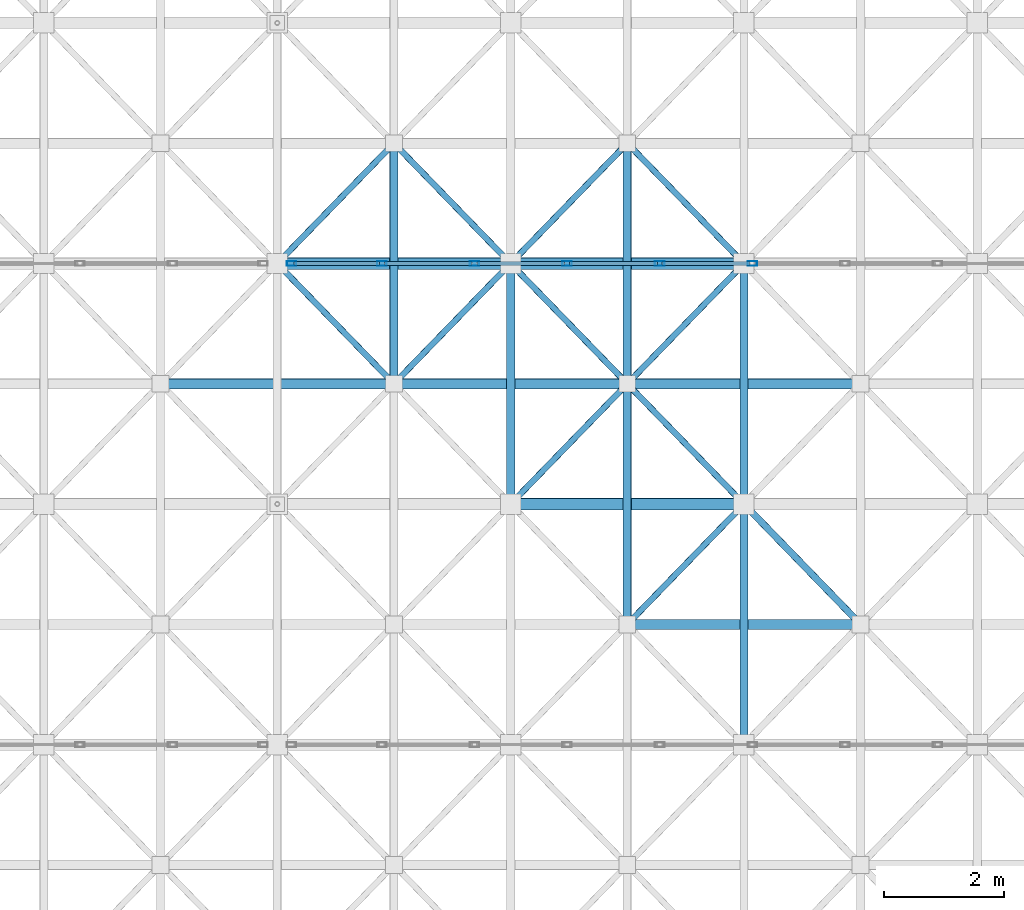
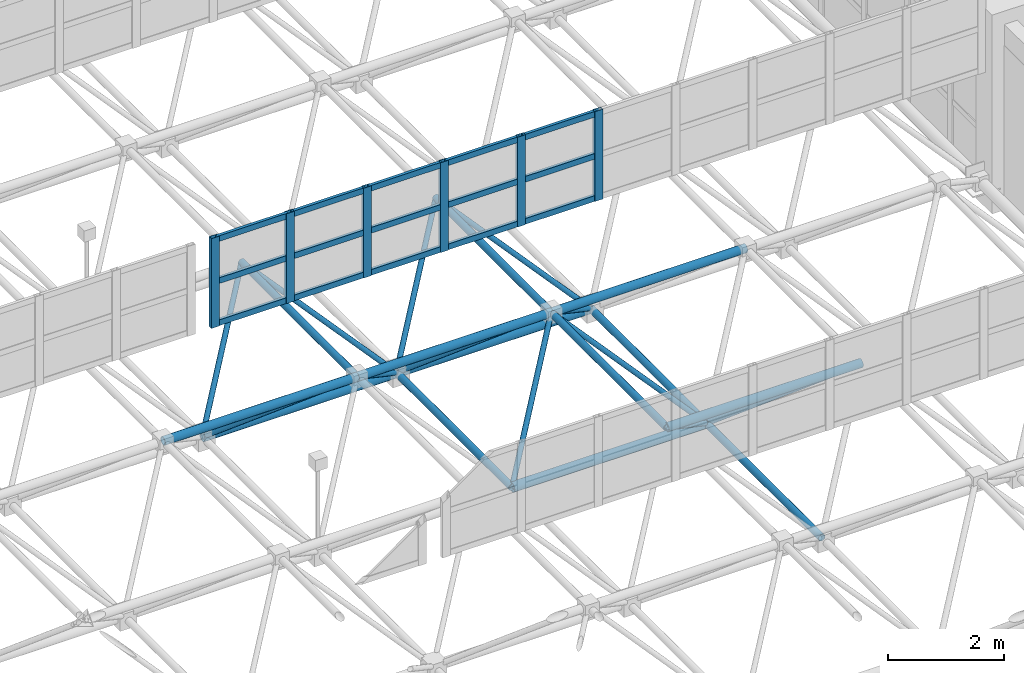
# One storey, part 61 of 195: 46 members, 1 element without a shape of its own.
"""IFC4 building model written with IfcOpenShell, lengths in metres."""

from ifc_helpers import new_model, si_unit, direction, frame, origin, origin_2d, place, context, subcontext, project, spatial, hollow_rectangle, hollow_circle, extrude, material, material_profile, profile_set, type_object, element, aggregate, save


model = new_model("IFC4")

# Units and contexts
model_context = context("Model", 3, precision=1e-05, world=origin(), true_north=direction((0.0, 1.0)))
body_context = subcontext(model_context, "Body", "Model", "MODEL_VIEW")
ifc_project = project(units=[si_unit("LENGTHUNIT", "METRE"), si_unit("AREAUNIT", "SQUARE_METRE"), si_unit("VOLUMEUNIT", "CUBIC_METRE"), si_unit("PLANEANGLEUNIT", "RADIAN"), si_unit("MASSUNIT", "GRAM", prefix="KILO")], contexts=[model_context])

# Site, building, storey
site_placement = place(None, origin())
site = spatial("IfcSite", under=ifc_project, at=site_placement, CompositionType="ELEMENT")
building_placement = place(site_placement, origin())
building = spatial("IfcBuilding", under=site, at=building_placement, Name="Kharva Crest Polytechnic", CompositionType="ELEMENT")
storey_placement = place(building_placement, frame((0.0, 0.0, 9.0)))
storey = spatial("IfcBuildingStorey", under=building, at=storey_placement, Name="L02", CompositionType="ELEMENT", Elevation=9.0)

# Curtain wall, members
ifc_material_1 = material(Name="Tempered insulated glass", Category="glass")
curtain_wall_type = type_object("IfcCurtainWallType", Name="CW-SYS-NORTHLIGHT", PredefinedType="USERDEFINED", material=ifc_material_1)
curtain_wall_placement = place(storey_placement, origin())
curtain_wall = element("IfcCurtainWall", 1, at=curtain_wall_placement, inside=storey, type_object=curtain_wall_type, Name="L02 Glazed Curtain Wall CW-194", ObjectType="CURTAIN WALL", PredefinedType="USERDEFINED")
ifc_material_2 = material(Name="Steel S355", Category="steel")
ifc_material_profile_1 = material_profile(ifc_material_2, hollow_rectangle(XDim=0.080078125, YDim=0.159912109375, WallThickness=0.0048828125, at=origin_2d()), Name="RHS 160X80X5.0")
ifc_profile_set_1 = profile_set([ifc_material_profile_1], Name="Steel S355")
member_type_1 = type_object("IfcMemberType", Name="CWM-RHS160X80", PredefinedType="MULLION", material=ifc_profile_set_1)
member_1_placement = place(storey_placement, frame((16.239990234375, 62.800048828125, 2.85009765625), z_axis=(0.0, 0.0, 1.0), x_axis=(0.0, 1.0, 0.0)))
member_1 = element("IfcMember", 2, at=member_1_placement, type_object=member_type_1, Name="CW-194 mullion 1", PredefinedType="MULLION", context=body_context, shape_type="SweptSolid", body=[
    extrude(hollow_rectangle(XDim=0.080078125, YDim=0.159912109375, WallThickness=0.0048828125, at=origin_2d()), origin(), (0.0, 0.0, 1.0), 1.89990234375),
])
member_2_placement = place(storey_placement, frame((17.739990234375, 62.800048828125, 2.85009765625), z_axis=(0.0, 0.0, 1.0), x_axis=(0.0, 1.0, 0.0)))
member_2 = element("IfcMember", 3, at=member_2_placement, type_object=member_type_1, Name="CW-194 mullion 2", PredefinedType="MULLION", context=body_context, shape_type="SweptSolid", body=[
    extrude(hollow_rectangle(XDim=0.080078125, YDim=0.159912109375, WallThickness=0.0048828125, at=origin_2d()), origin(), (0.0, 0.0, 1.0), 1.89990234375),
])
member_3_placement = place(storey_placement, frame((19.280029296875, 62.800048828125, 2.85009765625), z_axis=(0.0, 0.0, 1.0), x_axis=(0.0, 1.0, 0.0)))
member_3 = element("IfcMember", 4, at=member_3_placement, type_object=member_type_1, Name="CW-194 mullion 3", PredefinedType="MULLION", context=body_context, shape_type="SweptSolid", body=[
    extrude(hollow_rectangle(XDim=0.080078125, YDim=0.159912109375, WallThickness=0.0048828125, at=origin_2d()), origin(), (0.0, 0.0, 1.0), 1.89990234375),
])
member_4_placement = place(storey_placement, frame((20.820068359375, 62.800048828125, 2.85009765625), z_axis=(0.0, 0.0, 1.0), x_axis=(0.0, 1.0, 0.0)))
member_4 = element("IfcMember", 5, at=member_4_placement, type_object=member_type_1, Name="CW-194 mullion 4", PredefinedType="MULLION", context=body_context, shape_type="SweptSolid", body=[
    extrude(hollow_rectangle(XDim=0.080078125, YDim=0.159912109375, WallThickness=0.0048828125, at=origin_2d()), origin(), (0.0, 0.0, 1.0), 1.89990234375),
])
member_5_placement = place(storey_placement, frame((22.360107421875, 62.800048828125, 2.85009765625), z_axis=(0.0, 0.0, 1.0), x_axis=(0.0, 1.0, 0.0)))
member_5 = element("IfcMember", 6, at=member_5_placement, type_object=member_type_1, Name="CW-194 mullion 5", PredefinedType="MULLION", context=body_context, shape_type="SweptSolid", body=[
    extrude(hollow_rectangle(XDim=0.080078125, YDim=0.159912109375, WallThickness=0.0048828125, at=origin_2d()), origin(), (0.0, 0.0, 1.0), 1.89990234375),
])
member_6_placement = place(storey_placement, frame((23.89990234375, 62.800048828125, 2.85009765625), z_axis=(0.0, 0.0, 1.0), x_axis=(0.0, 1.0, 0.0)))
member_6 = element("IfcMember", 7, at=member_6_placement, type_object=member_type_1, Name="CW-194 mullion 6", PredefinedType="MULLION", context=body_context, shape_type="SweptSolid", body=[
    extrude(hollow_rectangle(XDim=0.080078125, YDim=0.159912109375, WallThickness=0.0048828125, at=origin_2d()), origin(), (0.0, 0.0, 1.0), 1.89990234375),
])
ifc_material_profile_2 = material_profile(ifc_material_2, hollow_rectangle(XDim=0.06005859375, YDim=0.1201171875, WallThickness=0.00390625, at=origin_2d()), Name="RHS 120X60X4.0")
ifc_profile_set_2 = profile_set([ifc_material_profile_2], Name="Steel S355")
member_type_2 = type_object("IfcMemberType", Name="CWT-RHS120X60", PredefinedType="USERDEFINED", material=ifc_profile_set_2)
member_7_placement = place(storey_placement, frame((16.280029296875, 62.800048828125, 2.909912109375), z_axis=(1.0, 0.0, 0.0), x_axis=(0.0, 1.0, 0.0)))
member_7 = element("IfcMember", 8, at=member_7_placement, type_object=member_type_2, Name="CW-194 transom 1.1", ObjectType="TRANSOM", PredefinedType="USERDEFINED", context=body_context, shape_type="SweptSolid", body=[
    extrude(hollow_rectangle(XDim=0.06005859375, YDim=0.1201171875, WallThickness=0.00390625, at=origin_2d()), origin(), (0.0, 0.0, 1.0), 1.419921875),
])
member_8_placement = place(storey_placement, frame((16.280029296875, 62.800048828125, 3.800048828125), z_axis=(1.0, 0.0, 0.0), x_axis=(0.0, 1.0, 0.0)))
member_8 = element("IfcMember", 9, at=member_8_placement, type_object=member_type_2, Name="CW-194 transom 1.2", ObjectType="TRANSOM", PredefinedType="USERDEFINED", context=body_context, shape_type="SweptSolid", body=[
    extrude(hollow_rectangle(XDim=0.06005859375, YDim=0.1201171875, WallThickness=0.00390625, at=origin_2d()), origin(), (0.0, 0.0, 1.0), 1.419921875),
])
member_9_placement = place(storey_placement, frame((16.280029296875, 62.800048828125, 4.68994140625), z_axis=(1.0, 0.0, 0.0), x_axis=(0.0, 1.0, 0.0)))
member_9 = element("IfcMember", 10, at=member_9_placement, type_object=member_type_2, Name="CW-194 transom 1.3", ObjectType="TRANSOM", PredefinedType="USERDEFINED", context=body_context, shape_type="SweptSolid", body=[
    extrude(hollow_rectangle(XDim=0.06005859375, YDim=0.1201171875, WallThickness=0.00390625, at=origin_2d()), origin(), (0.0, 0.0, 1.0), 1.419921875),
])
member_10_placement = place(storey_placement, frame((17.780029296875, 62.800048828125, 2.909912109375), z_axis=(1.0, 0.0, 0.0), x_axis=(0.0, 1.0, 0.0)))
member_10 = element("IfcMember", 11, at=member_10_placement, type_object=member_type_2, Name="CW-194 transom 2.1", ObjectType="TRANSOM", PredefinedType="USERDEFINED", context=body_context, shape_type="SweptSolid", body=[
    extrude(hollow_rectangle(XDim=0.06005859375, YDim=0.1201171875, WallThickness=0.00390625, at=origin_2d()), origin(), (0.0, 0.0, 1.0), 1.4599609375),
])
member_11_placement = place(storey_placement, frame((17.780029296875, 62.800048828125, 3.800048828125), z_axis=(1.0, 0.0, 0.0), x_axis=(0.0, 1.0, 0.0)))
member_11 = element("IfcMember", 12, at=member_11_placement, type_object=member_type_2, Name="CW-194 transom 2.2", ObjectType="TRANSOM", PredefinedType="USERDEFINED", context=body_context, shape_type="SweptSolid", body=[
    extrude(hollow_rectangle(XDim=0.06005859375, YDim=0.1201171875, WallThickness=0.00390625, at=origin_2d()), origin(), (0.0, 0.0, 1.0), 1.4599609375),
])
member_12_placement = place(storey_placement, frame((17.780029296875, 62.800048828125, 4.68994140625), z_axis=(1.0, 0.0, 0.0), x_axis=(0.0, 1.0, 0.0)))
member_12 = element("IfcMember", 13, at=member_12_placement, type_object=member_type_2, Name="CW-194 transom 2.3", ObjectType="TRANSOM", PredefinedType="USERDEFINED", context=body_context, shape_type="SweptSolid", body=[
    extrude(hollow_rectangle(XDim=0.06005859375, YDim=0.1201171875, WallThickness=0.00390625, at=origin_2d()), origin(), (0.0, 0.0, 1.0), 1.4599609375),
])
member_13_placement = place(storey_placement, frame((19.320068359375, 62.800048828125, 2.909912109375), z_axis=(1.0, 0.0, 0.0), x_axis=(0.0, 1.0, 0.0)))
member_13 = element("IfcMember", 14, at=member_13_placement, type_object=member_type_2, Name="CW-194 transom 3.1", ObjectType="TRANSOM", PredefinedType="USERDEFINED", context=body_context, shape_type="SweptSolid", body=[
    extrude(hollow_rectangle(XDim=0.06005859375, YDim=0.1201171875, WallThickness=0.00390625, at=origin_2d()), origin(), (0.0, 0.0, 1.0), 1.4599609375),
])
member_14_placement = place(storey_placement, frame((19.320068359375, 62.800048828125, 3.800048828125), z_axis=(1.0, 0.0, 0.0), x_axis=(0.0, 1.0, 0.0)))
member_14 = element("IfcMember", 15, at=member_14_placement, type_object=member_type_2, Name="CW-194 transom 3.2", ObjectType="TRANSOM", PredefinedType="USERDEFINED", context=body_context, shape_type="SweptSolid", body=[
    extrude(hollow_rectangle(XDim=0.06005859375, YDim=0.1201171875, WallThickness=0.00390625, at=origin_2d()), origin(), (0.0, 0.0, 1.0), 1.4599609375),
])
member_15_placement = place(storey_placement, frame((19.320068359375, 62.800048828125, 4.68994140625), z_axis=(1.0, 0.0, 0.0), x_axis=(0.0, 1.0, 0.0)))
member_15 = element("IfcMember", 16, at=member_15_placement, type_object=member_type_2, Name="CW-194 transom 3.3", ObjectType="TRANSOM", PredefinedType="USERDEFINED", context=body_context, shape_type="SweptSolid", body=[
    extrude(hollow_rectangle(XDim=0.06005859375, YDim=0.1201171875, WallThickness=0.00390625, at=origin_2d()), origin(), (0.0, 0.0, 1.0), 1.4599609375),
])
member_16_placement = place(storey_placement, frame((20.860107421875, 62.800048828125, 2.909912109375), z_axis=(1.0, 0.0, 0.0), x_axis=(0.0, 1.0, 0.0)))
member_16 = element("IfcMember", 17, at=member_16_placement, type_object=member_type_2, Name="CW-194 transom 4.1", ObjectType="TRANSOM", PredefinedType="USERDEFINED", context=body_context, shape_type="SweptSolid", body=[
    extrude(hollow_rectangle(XDim=0.06005859375, YDim=0.1201171875, WallThickness=0.00390625, at=origin_2d()), origin(), (0.0, 0.0, 1.0), 1.4599609375),
])
member_17_placement = place(storey_placement, frame((20.860107421875, 62.800048828125, 3.800048828125), z_axis=(1.0, 0.0, 0.0), x_axis=(0.0, 1.0, 0.0)))
member_17 = element("IfcMember", 18, at=member_17_placement, type_object=member_type_2, Name="CW-194 transom 4.2", ObjectType="TRANSOM", PredefinedType="USERDEFINED", context=body_context, shape_type="SweptSolid", body=[
    extrude(hollow_rectangle(XDim=0.06005859375, YDim=0.1201171875, WallThickness=0.00390625, at=origin_2d()), origin(), (0.0, 0.0, 1.0), 1.4599609375),
])
member_18_placement = place(storey_placement, frame((20.860107421875, 62.800048828125, 4.68994140625), z_axis=(1.0, 0.0, 0.0), x_axis=(0.0, 1.0, 0.0)))
member_18 = element("IfcMember", 19, at=member_18_placement, type_object=member_type_2, Name="CW-194 transom 4.3", ObjectType="TRANSOM", PredefinedType="USERDEFINED", context=body_context, shape_type="SweptSolid", body=[
    extrude(hollow_rectangle(XDim=0.06005859375, YDim=0.1201171875, WallThickness=0.00390625, at=origin_2d()), origin(), (0.0, 0.0, 1.0), 1.4599609375),
])
member_19_placement = place(storey_placement, frame((22.39990234375, 62.800048828125, 2.909912109375), z_axis=(1.0, 0.0, 0.0), x_axis=(0.0, 1.0, 0.0)))
member_19 = element("IfcMember", 20, at=member_19_placement, type_object=member_type_2, Name="CW-194 transom 5.1", ObjectType="TRANSOM", PredefinedType="USERDEFINED", context=body_context, shape_type="SweptSolid", body=[
    extrude(hollow_rectangle(XDim=0.06005859375, YDim=0.1201171875, WallThickness=0.00390625, at=origin_2d()), origin(), (0.0, 0.0, 1.0), 1.460205078125),
])
member_20_placement = place(storey_placement, frame((22.39990234375, 62.800048828125, 3.800048828125), z_axis=(1.0, 0.0, 0.0), x_axis=(0.0, 1.0, 0.0)))
member_20 = element("IfcMember", 21, at=member_20_placement, type_object=member_type_2, Name="CW-194 transom 5.2", ObjectType="TRANSOM", PredefinedType="USERDEFINED", context=body_context, shape_type="SweptSolid", body=[
    extrude(hollow_rectangle(XDim=0.06005859375, YDim=0.1201171875, WallThickness=0.00390625, at=origin_2d()), origin(), (0.0, 0.0, 1.0), 1.460205078125),
])
member_21_placement = place(storey_placement, frame((22.39990234375, 62.800048828125, 4.68994140625), z_axis=(1.0, 0.0, 0.0), x_axis=(0.0, 1.0, 0.0)))
member_21 = element("IfcMember", 22, at=member_21_placement, type_object=member_type_2, Name="CW-194 transom 5.3", ObjectType="TRANSOM", PredefinedType="USERDEFINED", context=body_context, shape_type="SweptSolid", body=[
    extrude(hollow_rectangle(XDim=0.06005859375, YDim=0.1201171875, WallThickness=0.00390625, at=origin_2d()), origin(), (0.0, 0.0, 1.0), 1.460205078125),
])
aggregate(curtain_wall, [member_1, member_2, member_3, member_4, member_5, member_6, member_7, member_8, member_9, member_10, member_11, member_12, member_13, member_14, member_15, member_16, member_17, member_18, member_19, member_20, member_21])

# Members
ifc_material_profile_3 = material_profile(ifc_material_2, hollow_circle(Radius=0.05078125, WallThickness=0.0048828125, at=origin_2d()), Name="CHS 101.6X5.0")
ifc_profile_set_3 = profile_set([ifc_material_profile_3], Name="Steel S355")
member_type_3 = type_object("IfcMemberType", Name="MEM-CHS101", PredefinedType="BRACE", material=ifc_profile_set_3)
for number, where, z_axis, x_axis, name in (
    (23, (16.0, 62.800048828125, 0.60009765625), (0.584843378742, -0.602949529154, 0.542595694449), (0.717802189577, 0.696247094528, 0.0), "Space Frame Web Diagonal 695"),
    (24, (19.8798828125, 62.800048828125, 0.60009765625), (-0.584843378742, -0.602949529154, 0.542595694449), (0.717802189577, -0.696247094528, 0.0), "Space Frame Web Diagonal 696"),
    (25, (16.0, 62.800048828125, 0.60009765625), (0.584843378742, 0.602949529154, 0.542595694449), (-0.717802189577, 0.696247094528, 0.0), "Space Frame Web Diagonal 697"),
    (26, (19.8798828125, 62.800048828125, 0.60009765625), (-0.584843378742, 0.602949529154, 0.542595694449), (-0.717802189577, -0.696247094528, 0.0), "Space Frame Web Diagonal 698"),
    (27, (23.760009765625, 58.800048828125, 0.60009765625), (-0.584843378742, -0.602949529154, 0.542595694449), (0.717802189577, -0.696247094528, 0.0), "Space Frame Web Diagonal 748"),
    (28, (19.8798828125, 58.800048828125, 0.60009765625), (0.584891802813, 0.602923574763, 0.542572338032), (-0.717758400015, 0.696292236929, 0.0), "Space Frame Web Diagonal 749"),
    (29, (23.760009765625, 58.800048828125, 0.60009765625), (-0.584843378742, 0.602949529154, 0.542595694449), (-0.717802189577, -0.696247094528, 0.0), "Space Frame Web Diagonal 750"),
    (30, (19.8798828125, 62.800048828125, 0.60009765625), (0.584891802813, -0.602923574763, 0.542572338032), (0.717758400015, 0.696292236929, 0.0), "Space Frame Web Diagonal 751"),
    (31, (23.760009765625, 62.800048828125, 0.60009765625), (-0.584843378742, -0.602949529154, 0.542595694449), (0.717802189577, -0.696247094528, 0.0), "Space Frame Web Diagonal 752"),
    (32, (19.8798828125, 62.800048828125, 0.60009765625), (0.584891802813, 0.602923574763, 0.542572338032), (-0.717758400015, 0.696292236929, 0.0), "Space Frame Web Diagonal 753"),
    (33, (23.760009765625, 62.800048828125, 0.60009765625), (-0.584843378742, 0.602949529154, 0.542595694449), (-0.717802189577, -0.696247094528, 0.0), "Space Frame Web Diagonal 754"),
):
    element("IfcMember", number, at=place(storey_placement, frame(where, z_axis=z_axis, x_axis=x_axis)), inside=storey, type_object=member_type_3, Name=name, PredefinedType="BRACE", context=body_context, shape_type="SweptSolid", body=[
        extrude(hollow_circle(Radius=0.05078125, WallThickness=0.0048828125, at=origin_2d()), origin(), (0.0, 0.0, 1.0), 3.317138671875),
    ])
ifc_material_profile_4 = material_profile(ifc_material_2, hollow_circle(Radius=0.05712890625, WallThickness=0.00634765625, at=origin_2d()), Name="CHS 114.3X6.3")
ifc_profile_set_4 = profile_set([ifc_material_profile_4], Name="Steel S355")
member_type_4 = type_object("IfcMemberType", Name="MEM-CHS114", PredefinedType="BRACE", material=ifc_profile_set_4)
member_22_placement = place(storey_placement, frame((23.760009765625, 58.800048828125, 0.60009765625), z_axis=(0.584843378742, -0.602949529154, 0.542595694449), x_axis=(0.717802189577, 0.696247094528, 0.0)))
element("IfcMember", 34, at=member_22_placement, inside=storey, type_object=member_type_4, Name="Space Frame Web Diagonal 803", PredefinedType="BRACE", context=body_context, shape_type="SweptSolid", body=[
    extrude(hollow_circle(Radius=0.05712890625, WallThickness=0.00634765625, at=origin_2d()), origin(), (0.0, 0.0, 1.0), 3.317138671875),
])
ifc_material_profile_5 = material_profile(ifc_material_2, hollow_circle(Radius=0.06982421875, WallThickness=0.00634765625, at=origin_2d()), Name="CHS 139.7X6.3")
ifc_profile_set_5 = profile_set([ifc_material_profile_5], Name="Steel S355")
member_type_5 = type_object("IfcMemberType", Name="MEM-CHS139", PredefinedType="CHORD", material=ifc_profile_set_5)
for number, where, z_axis, x_axis, name in (
    (35, (19.8798828125, 58.800048828125, 0.60009765625), (0.0, 1.0, 0.0), (-1.0, 0.0, 0.0), "Space Frame Bottom Chord Y 196"),
    (36, (23.760009765625, 54.800048828125, 0.60009765625), (0.0, 1.0, 0.0), (-1.0, 0.0, 0.0), "Space Frame Bottom Chord Y 209"),
    (37, (23.760009765625, 58.800048828125, 0.60009765625), (0.0, 1.0, 0.0), (-1.0, 0.0, 0.0), "Space Frame Bottom Chord Y 210"),
    (38, (17.93994140625, 60.800048828125, 2.39990234375), (0.0, 1.0, 0.0), (-1.0, 0.0, 0.0), "Space Frame Top Chord Y 402"),
    (39, (21.820068359375, 56.800048828125, 2.39990234375), (0.0, 1.0, 0.0), (-1.0, 0.0, 0.0), "Space Frame Top Chord Y 414"),
    (40, (21.820068359375, 60.800048828125, 2.39990234375), (0.0, 1.0, 0.0), (-1.0, 0.0, 0.0), "Space Frame Top Chord Y 415"),
):
    element("IfcMember", number, at=place(storey_placement, frame(where, z_axis=z_axis, x_axis=x_axis)), inside=storey, type_object=member_type_5, Name=name, PredefinedType="CHORD", context=body_context, shape_type="SweptSolid", body=[
        extrude(hollow_circle(Radius=0.06982421875, WallThickness=0.00634765625, at=origin_2d()), origin(), (0.0, 0.0, 1.0), 4.0),
    ])
ifc_material_profile_6 = material_profile(ifc_material_2, hollow_circle(Radius=0.084228515625, WallThickness=0.008056640625, at=origin_2d()), Name="CHS 168.3X8.0")
ifc_profile_set_6 = profile_set([ifc_material_profile_6], Name="Steel S355")
member_type_6 = type_object("IfcMemberType", Name="MEM-CHS168", PredefinedType="CHORD", material=ifc_profile_set_6)
for number, where, z_axis, x_axis, name in (
    (41, (21.820068359375, 56.800048828125, 2.39990234375), (1.0, 0.0, 0.0), (0.0, 1.0, 0.0), "Space Frame Top Chord X 280"),
    (42, (14.06005859375, 60.800048828125, 2.39990234375), (1.0, 0.0, 0.0), (0.0, 1.0, 0.0), "Space Frame Top Chord X 285"),
):
    element("IfcMember", number, at=place(storey_placement, frame(where, z_axis=z_axis, x_axis=x_axis)), inside=storey, type_object=member_type_6, Name=name, PredefinedType="CHORD", context=body_context, shape_type="SweptSolid", body=[
        extrude(hollow_circle(Radius=0.084228515625, WallThickness=0.008056640625, at=origin_2d()), origin(), (0.0, 0.0, 1.0), 3.8798828125),
    ])
member_23_placement = place(storey_placement, frame((17.93994140625, 60.800048828125, 2.39990234375), z_axis=(1.0, 0.0, 0.0), x_axis=(0.0, 1.0, 0.0)))
element("IfcMember", 43, at=member_23_placement, inside=storey, type_object=member_type_6, Name="Space Frame Top Chord X 286", PredefinedType="CHORD", context=body_context, shape_type="SweptSolid", body=[
    extrude(hollow_circle(Radius=0.084228515625, WallThickness=0.008056640625, at=origin_2d()), origin(), (0.0, 0.0, 1.0), 3.880126953125),
])
member_24_placement = place(storey_placement, frame((21.820068359375, 60.800048828125, 2.39990234375), z_axis=(1.0, 0.0, 0.0), x_axis=(0.0, 1.0, 0.0)))
element("IfcMember", 44, at=member_24_placement, inside=storey, type_object=member_type_6, Name="Space Frame Top Chord X 287", PredefinedType="CHORD", context=body_context, shape_type="SweptSolid", body=[
    extrude(hollow_circle(Radius=0.084228515625, WallThickness=0.008056640625, at=origin_2d()), origin(), (0.0, 0.0, 1.0), 3.8798828125),
])
ifc_material_profile_7 = material_profile(ifc_material_2, hollow_circle(Radius=0.096923828125, WallThickness=0.008056640625, at=origin_2d()), Name="CHS 193.7X8.0")
ifc_profile_set_7 = profile_set([ifc_material_profile_7], Name="Steel S355")
member_type_7 = type_object("IfcMemberType", Name="MEM-CHS193", PredefinedType="CHORD", material=ifc_profile_set_7)
member_25_placement = place(storey_placement, frame((19.8798828125, 58.800048828125, 0.60009765625), z_axis=(1.0, 0.0, 0.0), x_axis=(0.0, 1.0, 0.0)))
element("IfcMember", 45, at=member_25_placement, inside=storey, type_object=member_type_7, Name="Space Frame Bottom Chord X 46", PredefinedType="CHORD", context=body_context, shape_type="SweptSolid", body=[
    extrude(hollow_circle(Radius=0.096923828125, WallThickness=0.008056640625, at=origin_2d()), origin(), (0.0, 0.0, 1.0), 3.880126953125),
])
member_26_placement = place(storey_placement, frame((16.0, 62.800048828125, 0.60009765625), z_axis=(1.0, 0.0, 0.0), x_axis=(0.0, 1.0, 0.0)))
element("IfcMember", 46, at=member_26_placement, inside=storey, type_object=member_type_7, Name="Space Frame Bottom Chord X 53", PredefinedType="CHORD", context=body_context, shape_type="SweptSolid", body=[
    extrude(hollow_circle(Radius=0.096923828125, WallThickness=0.008056640625, at=origin_2d()), origin(), (0.0, 0.0, 1.0), 3.8798828125),
])
member_27_placement = place(storey_placement, frame((19.8798828125, 62.800048828125, 0.60009765625), z_axis=(1.0, 0.0, 0.0), x_axis=(0.0, 1.0, 0.0)))
element("IfcMember", 47, at=member_27_placement, inside=storey, type_object=member_type_7, Name="Space Frame Bottom Chord X 54", PredefinedType="CHORD", context=body_context, shape_type="SweptSolid", body=[
    extrude(hollow_circle(Radius=0.096923828125, WallThickness=0.008056640625, at=origin_2d()), origin(), (0.0, 0.0, 1.0), 3.880126953125),
])

save(model, "model.ifc")
